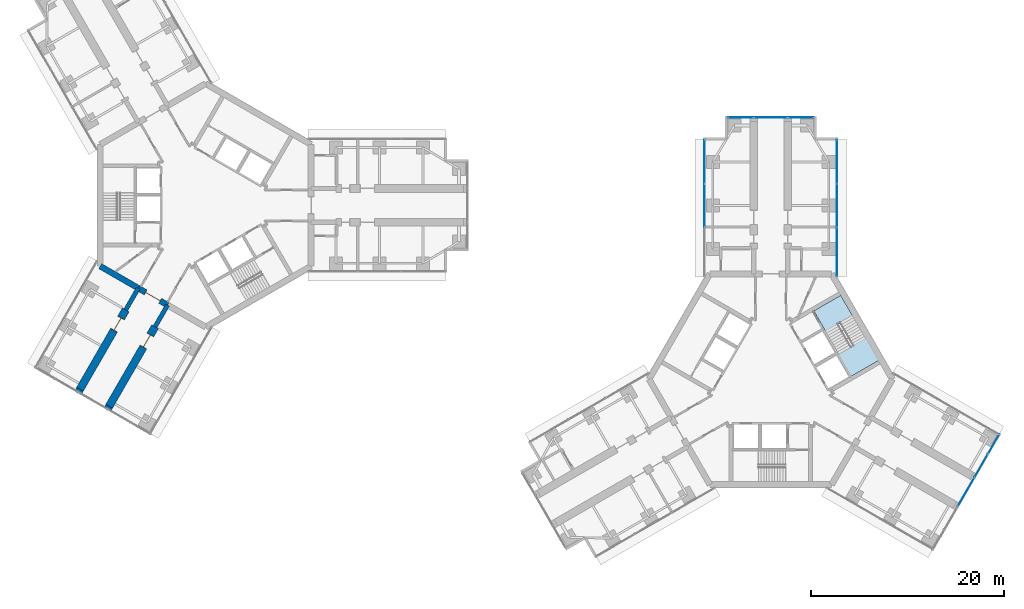
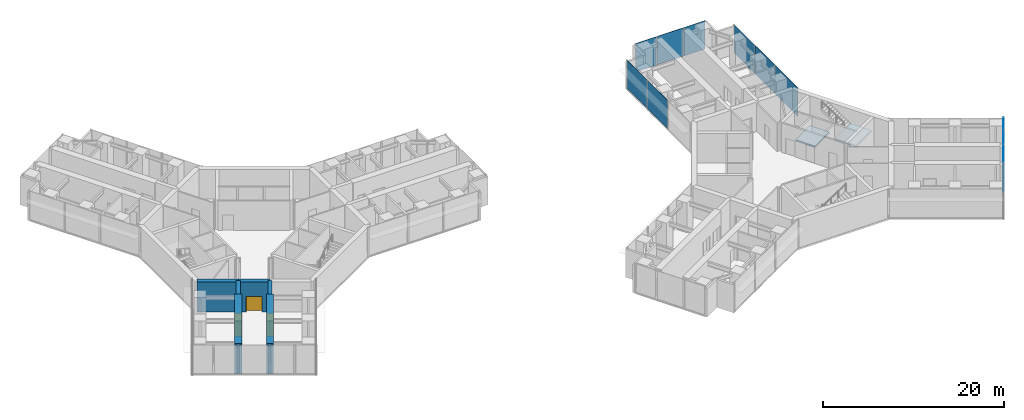
# One storey, part 14 of 21: 11 plates, 8 walls, 3 doors, 2 slabs, 3 openings, 5 elements without a shape of their own.
"""IFC4 building model written with IfcOpenShell, lengths in metres."""

import ifcopenshell
import ifcopenshell.guid

model = None  # the IFC model being written
_history = None  # IfcOwnerHistory: only IFC2X3 demands one
_inside = {}  # id of a spatial element -> (the spatial element, [elements in it])
_under = {}  # id of a project, library or spatial element -> (it, [spatial elements below it])
_declared = {}  # id of a project -> (the project, [libraries it declares])
_typed = {}  # id of a type object -> (the type object, [elements of that type])
_made_of = {}  # id of a material, layer set ... -> (it, [elements and type objects made of it])


def new_model(schema):
    """Start an empty IFC model of exactly this schema.

    Asked for "IFC4X3", IfcOpenShell would pick the latest addendum, in which some entities
    have other attributes; the version numbers below select the first issue.
    IFC2X3 requires an IfcOwnerHistory on every rooted entity: one is made here for all.
    """
    global model, _history
    if schema == "IFC4X3":
        model = ifcopenshell.file(schema_version=(4, 3, 0, 0))
    else:
        model = ifcopenshell.file(schema=schema)
    _inside.clear()
    _under.clear()
    _declared.clear()
    _typed.clear()
    _made_of.clear()
    _history = None
    if model.schema == "IFC2X3":
        org = make("IfcOrganization", Name="unknown")
        user = make(
            "IfcPersonAndOrganization",
            ThePerson=make("IfcPerson", FamilyName="unknown"),
            TheOrganization=org,
        )
        app = make(
            "IfcApplication",
            ApplicationDeveloper=org,
            Version="unknown",
            ApplicationFullName="unknown",
            ApplicationIdentifier="unknown",
        )
        _history = make(
            "IfcOwnerHistory",
            OwningUser=user,
            OwningApplication=app,
            ChangeAction="ADDED",
            CreationDate=0,
        )
    return model


def make(cls, **values):
    """One entity of the class cls with the attributes given. An attribute that is None is left unset."""
    return model.create_entity(
        cls, **{name: value for name, value in values.items() if value is not None}
    )


def rooted(cls, **values):
    """An entity with a GlobalId (a new one), such as an element, a storey or a relation."""
    return make(cls, GlobalId=ifcopenshell.guid.new(), OwnerHistory=_history, **values)


def si_unit(unit_type, name, prefix=None):
    """IfcSIUnit, for example si_unit("LENGTHUNIT", "METRE", prefix="MILLI")."""
    return make("IfcSIUnit", UnitType=unit_type, Prefix=prefix, Name=name)


def assignment(units):
    """IfcUnitAssignment: the units of a project."""
    return None if units is None else make("IfcUnitAssignment", Units=units)


def point(xyz):
    """IfcCartesianPoint."""
    return None if xyz is None else make("IfcCartesianPoint", Coordinates=xyz)


def direction(xyz):
    """IfcDirection."""
    return None if xyz is None else make("IfcDirection", DirectionRatios=xyz)


def frame(location, z_axis=None, x_axis=None):
    """IfcAxis2Placement3D, a coordinate frame: its origin and axes. An axis left out is left unset."""
    return make(
        "IfcAxis2Placement3D",
        Location=point(location),
        Axis=direction(z_axis),
        RefDirection=direction(x_axis),
    )


def frame_2d(location, x_axis=None):
    """IfcAxis2Placement2D, a coordinate frame in the plane: its origin and x axis."""
    return make(
        "IfcAxis2Placement2D", Location=point(location), RefDirection=direction(x_axis)
    )


def origin():
    """The frame at (0, 0, 0) with its axes left unset."""
    return frame((0.0, 0.0, 0.0))


def origin_2d():
    """The frame at (0, 0) in the plane with its x axis left unset."""
    return frame_2d((0.0, 0.0))


def place(relative_to, where):
    """IfcLocalPlacement: puts the frame where relative to a parent placement (None: the world)."""
    return make(
        "IfcLocalPlacement", PlacementRelTo=relative_to, RelativePlacement=where
    )


def context(
    kind, dimensions, precision=None, world=None, true_north=None, identifier=None
):
    """IfcGeometricRepresentationContext, for example the 3D "Model" context."""
    return make(
        "IfcGeometricRepresentationContext",
        ContextIdentifier=identifier,
        ContextType=kind,
        CoordinateSpaceDimension=dimensions,
        Precision=precision,
        WorldCoordinateSystem=world,
        TrueNorth=true_north,
    )


def subcontext(parent, identifier, kind, view, scale=None):
    """IfcGeometricRepresentationSubContext, for example "Body" below "Model"."""
    return make(
        "IfcGeometricRepresentationSubContext",
        ContextIdentifier=identifier,
        ContextType=kind,
        ParentContext=parent,
        TargetScale=scale,
        TargetView=view,
    )


def project(units=None, contexts=None):
    """IfcProject with its units and contexts."""
    return rooted(
        "IfcProject",
        Name="project",
        RepresentationContexts=contexts,
        UnitsInContext=assignment(units),
    )


def spatial(cls, under=None, at=None, **own):
    """A site, building, storey or space (cls), placed at a placement, below another one or the project."""
    s = rooted(cls, ObjectPlacement=at, **own)
    if under is not None:
        _under.setdefault(under.id(), (under, []))[1].append(s)
    return s


def polyline(points):
    """IfcPolyline through the points."""
    return make("IfcPolyline", Points=[point(p) for p in points])


def profile(cls, at=None, kind="AREA", **sizes):
    """A parametric profile (cls). Its sizes go by their IFC names, for example OverallWidth=200.0."""
    return make(cls, ProfileType=kind, Position=at, **sizes)


def rectangle(**sizes):
    """IfcRectangleProfileDef."""
    return profile("IfcRectangleProfileDef", **sizes)


def outline(outer, holes=None, kind="AREA"):
    """IfcArbitraryClosedProfileDef: a profile drawn as a closed curve; with holes, ...WithVoids."""
    if holes is None:
        return make("IfcArbitraryClosedProfileDef", ProfileType=kind, OuterCurve=outer)
    return make(
        "IfcArbitraryProfileDefWithVoids",
        ProfileType=kind,
        OuterCurve=outer,
        InnerCurves=holes,
    )


def extrude(swept, where, along, depth):
    """IfcExtrudedAreaSolid: the profile swept, set in the frame where, extruded along a direction by depth."""
    return make(
        "IfcExtrudedAreaSolid",
        SweptArea=swept,
        Position=where,
        ExtrudedDirection=direction(along),
        Depth=depth,
    )


def shape(context_of_items, identifier, shape_type, items):
    """IfcShapeRepresentation: the items that make up one representation, for example the "Body"."""
    return make(
        "IfcShapeRepresentation",
        ContextOfItems=context_of_items,
        RepresentationIdentifier=identifier,
        RepresentationType=shape_type,
        Items=items,
    )


def material(Name=None, Category=None):
    """IfcMaterial."""
    return make("IfcMaterial", Name=Name, Category=Category)


def layer(
    of_material, thickness, ventilated=None, Name=None, Category=None, Priority=None
):
    """IfcMaterialLayer: one layer of a wall or slab, of a material (None: an air gap)."""
    return make(
        "IfcMaterialLayer",
        Material=of_material,
        LayerThickness=thickness,
        IsVentilated=ventilated,
        Name=Name,
        Category=Category,
        Priority=Priority,
    )


def layer_set(layers, Name=None):
    """IfcMaterialLayerSet."""
    return make("IfcMaterialLayerSet", MaterialLayers=layers, LayerSetName=Name)


def made_of(thing, what):
    """Note that an element or type object is made of a material, layer set ...; save() writes the relation."""
    if what is not None:
        _made_of.setdefault(what.id(), (what, []))[1].append(thing)
    return thing


def type_object(cls, material=None, **own):
    """A type object (cls), such as IfcWallType, which elements share."""
    return made_of(rooted(cls, **own), material)


def element(
    cls,
    number,
    at=None,
    inside=None,
    cuts=None,
    type_object=None,
    material=None,
    context=None,
    identifier="Body",
    shape_type=None,
    held_by="IfcProductDefinitionShape",
    body=None,
    shapes=None,
    **own,
):
    """One element of the class cls, such as IfcWall. Its Tag is "e" and its number.

    at: its placement. inside: the storey or other place that contains it. cuts: it is an
    opening in that element (IfcRelVoidsElement). A single representation is given by context,
    identifier, shape_type and body (its items); several are given by shapes. held_by: the class
    of the entity that holds the representations. save() writes the other relations.
    """
    e = rooted(cls, Tag="e%d" % number, ObjectPlacement=at, **own)
    if body is not None:
        shapes = [shape(context, identifier, shape_type, body)]
    if shapes is not None:
        e.Representation = make(held_by, Representations=shapes)
    if inside is not None:
        _inside.setdefault(inside.id(), (inside, []))[1].append(e)
    if cuts is not None:
        rooted(
            "IfcRelVoidsElement", RelatingBuildingElement=cuts, RelatedOpeningElement=e
        )
    if type_object is not None:
        _typed.setdefault(type_object.id(), (type_object, []))[1].append(e)
    return made_of(e, material)


def fill(opening, filler):
    """IfcRelFillsElement: the door or window that sits in an opening."""
    return rooted(
        "IfcRelFillsElement",
        RelatingOpeningElement=opening,
        RelatedBuildingElement=filler,
    )


def aggregate(whole, parts):
    """IfcRelAggregates: a whole, such as a stair, and the parts it consists of."""
    return rooted("IfcRelAggregates", RelatingObject=whole, RelatedObjects=parts)


def save(model, path):
    """Write the relations noted so far, then the file.

    IfcRelAggregates (storeys below a building ...), IfcRelContainedInSpatialStructure (elements
    in a storey), IfcRelDefinesByType, IfcRelAssociatesMaterial and IfcRelDeclares: one each for
    every whole, place, type object, material and project.
    """
    for whole, parts in _under.values():
        aggregate(whole, parts)
    for where, things in _inside.values():
        rooted(
            "IfcRelContainedInSpatialStructure",
            RelatedElements=things,
            RelatingStructure=where,
        )
    for kind, things in _typed.values():
        rooted("IfcRelDefinesByType", RelatedObjects=things, RelatingType=kind)
    for what, things in _made_of.values():
        rooted("IfcRelAssociatesMaterial", RelatedObjects=things, RelatingMaterial=what)
    for by, libraries in _declared.values():
        rooted("IfcRelDeclares", RelatingContext=by, RelatedDefinitions=libraries)
    model.write(path)


model = new_model("IFC4")

# Units and contexts
model_context = context("Model", 3, precision=1e-05, world=origin(), true_north=direction((0.0, 1.0)))
body_context = subcontext(model_context, "Body", "Model", "MODEL_VIEW")
ifc_project = project(units=[si_unit("LENGTHUNIT", "METRE"), si_unit("AREAUNIT", "SQUARE_METRE"), si_unit("VOLUMEUNIT", "CUBIC_METRE"), si_unit("PLANEANGLEUNIT", "RADIAN"), si_unit("MASSUNIT", "GRAM", prefix="KILO")], contexts=[model_context])

# Site, building, storey
site_placement = place(None, origin())
site = spatial("IfcSite", under=ifc_project, at=site_placement, CompositionType="ELEMENT")
building_placement = place(site_placement, origin())
building = spatial("IfcBuilding", under=site, at=building_placement, Name="Upepo Twin Towers", CompositionType="ELEMENT")
storey_placement = place(building_placement, frame((0.0, 0.0, 101.5)))
storey = spatial("IfcBuildingStorey", under=building, at=storey_placement, Name="L24", CompositionType="ELEMENT", Elevation=101.5)

# Curtain wall, plates
ifc_material_1 = material(Name="Aluminium and fritted glass", Category="aluminium")
curtain_wall_type = type_object("IfcCurtainWallType", Name="Tower curtain wall TW2, fritted glass", PredefinedType="NOTDEFINED", material=ifc_material_1)
curtain_wall_1_placement = place(storey_placement, origin())
curtain_wall_1 = element("IfcCurtainWall", 1, at=curtain_wall_1_placement, inside=storey, type_object=curtain_wall_type, Name="T2 L24 wing A flank L curtain wall", PredefinedType="NOTDEFINED")
ifc_material_2 = material(Name="Ceramic-fritted laminated glass", Category="glass")
ifc_layer_1 = layer(ifc_material_2, 0.031982421875)
ifc_layer_set_1 = layer_set([ifc_layer_1], Name="Fritted glass panel, 35 per cent dot frit, 32 mm double glazed")
plate_type_1 = type_object("IfcPlateType", Name="Fritted glass panel, 35 per cent dot frit, 32 mm double glazed", PredefinedType="CURTAIN_PANEL", material=ifc_layer_set_1)
plate_1_placement = place(storey_placement, frame((51.64990234375, 0.0, 0.14990234375), z_axis=(0.0, 0.0, 1.0), x_axis=(0.0, 1.0, 0.0)))
plate_1 = element("IfcPlate", 2, at=plate_1_placement, type_object=plate_type_1, Name="T2 L24 wing A flank L curtain wall panel 2", PredefinedType="CURTAIN_PANEL", context=body_context, shape_type="SweptSolid", body=[
    extrude(rectangle(XDim=4.43505859375, YDim=0.031982421875, at=origin_2d()), origin(), (0.0, 0.0, 1.0), 3.85009765625),
])
plate_2_placement = place(storey_placement, frame((51.64990234375, 4.53369140625, 0.14990234375), z_axis=(0.0, 0.0, 1.0), x_axis=(0.0, 1.0, 0.0)))
plate_2 = element("IfcPlate", 3, at=plate_2_placement, type_object=plate_type_1, Name="T2 L24 wing A flank L curtain wall panel 3", PredefinedType="CURTAIN_PANEL", context=body_context, shape_type="SweptSolid", body=[
    extrude(rectangle(XDim=4.50244140625, YDim=0.031982421875, at=origin_2d()), origin(), (0.0, 0.0, 1.0), 3.85009765625),
])
aggregate(curtain_wall_1, [plate_1, plate_2])

curtain_wall_2_placement = place(storey_placement, origin())
curtain_wall_2 = element("IfcCurtainWall", 4, at=curtain_wall_2_placement, inside=storey, type_object=curtain_wall_type, Name="T2 L24 wing A flank R curtain wall", PredefinedType="NOTDEFINED")
plate_3_placement = place(storey_placement, frame((65.35009765625, 4.53369140625, 0.14990234375), z_axis=(0.0, 0.0, 1.0), x_axis=(0.0, -1.0, 0.0)))
plate_3 = element("IfcPlate", 5, at=plate_3_placement, type_object=plate_type_1, Name="T2 L24 wing A flank R curtain wall panel 1", PredefinedType="CURTAIN_PANEL", context=body_context, shape_type="SweptSolid", body=[
    extrude(rectangle(XDim=4.50244140625, YDim=0.031982421875, at=origin_2d()), origin(), (0.0, 0.0, 1.0), 3.85009765625),
])
plate_4_placement = place(storey_placement, frame((65.35009765625, 0.0, 0.14990234375), z_axis=(0.0, 0.0, 1.0), x_axis=(0.0, -1.0, 0.0)))
plate_4 = element("IfcPlate", 6, at=plate_4_placement, type_object=plate_type_1, Name="T2 L24 wing A flank R curtain wall panel 2", PredefinedType="CURTAIN_PANEL", context=body_context, shape_type="SweptSolid", body=[
    extrude(rectangle(XDim=4.43505859375, YDim=0.031982421875, at=origin_2d()), origin(), (0.0, 0.0, 1.0), 3.85009765625),
])
plate_5_placement = place(storey_placement, frame((65.35009765625, -4.815185546875, 0.14990234375), z_axis=(0.0, 0.0, 1.0), x_axis=(0.0, -1.0, 0.0)))
plate_5 = element("IfcPlate", 7, at=plate_5_placement, type_object=plate_type_1, Name="T2 L24 wing A flank R curtain wall panel 3", PredefinedType="CURTAIN_PANEL", context=body_context, shape_type="SweptSolid", body=[
    extrude(rectangle(XDim=5.0654296875, YDim=0.031982421875, at=origin_2d()), origin(), (0.0, 0.0, 1.0), 3.85009765625),
])
aggregate(curtain_wall_2, [plate_3, plate_4, plate_5])

# Curtain wall, plate
curtain_wall_3_placement = place(storey_placement, origin())
curtain_wall_3 = element("IfcCurtainWall", 8, at=curtain_wall_3_placement, inside=storey, type_object=curtain_wall_type, Name="T2 L24 wing A nose curtain wall", PredefinedType="NOTDEFINED")
plate_6_placement = place(storey_placement, frame((58.5, 9.10009765625, 0.14990234375), z_axis=(0.0, 0.0, 1.0), x_axis=(-1.0, 0.0, 0.0)))
plate_6 = element("IfcPlate", 9, at=plate_6_placement, type_object=plate_type_1, Name="T2 L24 wing A nose curtain wall panel 2", PredefinedType="CURTAIN_PANEL", context=body_context, shape_type="SweptSolid", body=[
    extrude(rectangle(XDim=3.43505859375, YDim=0.031982421875, at=origin_2d()), origin(), (0.0, 0.0, 1.0), 3.85009765625),
])

# Curtain wall, plates
curtain_wall_4_placement = place(storey_placement, origin())
curtain_wall_4 = element("IfcCurtainWall", 10, at=curtain_wall_4_placement, inside=storey, type_object=curtain_wall_type, Name="T2 L24 wing C nose curtain wall", PredefinedType="NOTDEFINED")
plate_7_placement = place(storey_placement, frame((78.7216796875, -29.675048828125, 0.14990234375), z_axis=(0.0, 0.0, 1.0), x_axis=(0.499999972355, 0.866025419745, 0.0)))
plate_7 = element("IfcPlate", 11, at=plate_7_placement, type_object=plate_type_1, Name="T2 L24 wing C nose curtain wall panel 3", PredefinedType="CURTAIN_PANEL", context=body_context, shape_type="SweptSolid", body=[
    extrude(rectangle(XDim=3.43505859375, YDim=0.031982421875, at=origin_2d()), origin(), (0.0, 0.0, 1.0), 3.85009765625),
])
plate_8_placement = place(storey_placement, frame((80.2841796875, -26.96875, 0.14990234375), z_axis=(0.0, 0.0, 1.0), x_axis=(0.499999972355, 0.866025419745, 0.0)))
plate_8 = element("IfcPlate", 12, at=plate_8_placement, type_object=plate_type_1, Name="T2 L24 wing C nose curtain wall panel 4", PredefinedType="CURTAIN_PANEL", context=body_context, shape_type="SweptSolid", body=[
    extrude(rectangle(XDim=2.68505859375, YDim=0.031982421875, at=origin_2d()), origin(), (0.0, 0.0, 1.0), 3.85009765625),
])

# Plate
ifc_material_3 = material(Name="Clear laminated glass in opening sash", Category="glass")
ifc_layer_2 = layer(ifc_material_3, 0.031982421875)
ifc_layer_set_2 = layer_set([ifc_layer_2], Name="Operable glass panel, 32 mm double glazed")
plate_type_2 = type_object("IfcPlateType", Name="Operable glass panel, 32 mm double glazed", PredefinedType="CURTAIN_PANEL", material=ifc_layer_set_2)
plate_9_placement = place(storey_placement, frame((61.608642578125, 9.10009765625, 0.14990234375), z_axis=(0.0, 0.0, 1.0), x_axis=(-1.0, 0.0, 0.0)))
plate_9 = element("IfcPlate", 13, at=plate_9_placement, type_object=plate_type_2, Name="T2 L24 wing A nose curtain wall panel 1", PredefinedType="CURTAIN_PANEL", context=body_context, shape_type="SweptSolid", body=[
    extrude(rectangle(XDim=2.652587890625, YDim=0.031982421875, at=origin_2d()), origin(), (0.0, 0.0, 1.0), 3.85009765625),
])

plate_10_placement = place(storey_placement, frame((55.391357421875, 9.10009765625, 0.14990234375), z_axis=(0.0, 0.0, 1.0), x_axis=(-1.0, 0.0, 0.0)))
plate_10 = element("IfcPlate", 14, at=plate_10_placement, type_object=plate_type_2, Name="T2 L24 wing A nose curtain wall panel 3", PredefinedType="CURTAIN_PANEL", context=body_context, shape_type="SweptSolid", body=[
    extrude(rectangle(XDim=2.652587890625, YDim=0.031982421875, at=origin_2d()), origin(), (0.0, 0.0, 1.0), 3.85009765625),
])

aggregate(curtain_wall_3, [plate_9, plate_6, plate_10])

plate_11_placement = place(storey_placement, frame((81.576171875, -24.73095703125, 0.14990234375), z_axis=(0.0, 0.0, 1.0), x_axis=(0.499999972355, 0.866025419745, 0.0)))
plate_11 = element("IfcPlate", 15, at=plate_11_placement, type_object=plate_type_2, Name="T2 L24 wing C nose curtain wall panel 5", PredefinedType="CURTAIN_PANEL", context=body_context, shape_type="SweptSolid", body=[
    extrude(rectangle(XDim=2.3525390625, YDim=0.031982421875, at=origin_2d()), origin(), (0.0, 0.0, 1.0), 3.85009765625),
])

aggregate(curtain_wall_4, [plate_7, plate_8, plate_11])

# Stair, slabs
ifc_material_4 = material(Name="Concrete C40/50", Category="concrete")
stair_type = type_object("IfcStairType", Name="Core stair, two flights", PredefinedType="HALF_TURN_STAIR", material=ifc_material_4)
stair_placement = place(storey_placement, origin())
stair = element("IfcStair", 16, at=stair_placement, inside=storey, type_object=stair_type, Name="T2 stair S2 L24", PredefinedType="HALF_TURN_STAIR")
ifc_material_5 = material(Name="Concrete C40/50", Category="concrete")
ifc_layer_3 = layer(ifc_material_5, 0.199951171875)
ifc_layer_set_3 = layer_set([ifc_layer_3], Name="Concrete C40/50")
slab_type = type_object("IfcSlabType", Name="Stair landing 200 RC", PredefinedType="LANDING", material=ifc_layer_set_3)
slab_1_placement = place(storey_placement, frame((0.0, 0.0, -0.199951171875)))
slab_1 = element("IfcSlab", 17, at=slab_1_placement, type_object=slab_type, Name="Stair S2 landing 1", PredefinedType="LANDING", context=body_context, shape_type="SweptSolid", body=[
    extrude(outline(polyline([(64.198486328125, -13.0703125), (66.97705078125, -11.466064453125), (65.737060546875, -9.318359375), (62.95849609375, -10.922607421875), (64.198486328125, -13.0703125)])), origin(), (0.0, 0.0, 1.0), 0.199951171875),
])
slab_2_placement = place(storey_placement, frame((0.0, 0.0, 1.800048828125)))
slab_2 = element("IfcSlab", 18, at=slab_2_placement, type_object=slab_type, Name="Stair S2 landing 2", PredefinedType="LANDING", context=body_context, shape_type="SweptSolid", body=[
    extrude(outline(polyline([(66.77197265625, -17.7275390625), (69.7236328125, -16.0234375), (68.36376953125, -13.667724609375), (65.411865234375, -15.371826171875), (66.77197265625, -17.7275390625)])), origin(), (0.0, 0.0, 1.0), 0.199951171875),
])
aggregate(stair, [slab_1, slab_2])

# Walls
ifc_material_6 = material(Name="Dense concrete blockwork", Category="masonry")
ifc_layer_4 = layer(ifc_material_6, 0.800048828125)
ifc_layer_set_4 = layer_set([ifc_layer_4], Name="Buttress closer 800, blockwork with fire-stopping to the curtain wall")
wall_type_1 = type_object("IfcWallType", Name="Buttress closer 800, blockwork with fire-stopping to the curtain wall", PredefinedType="PARTITIONING", material=ifc_layer_set_4)
for number, where, z_axis, x_axis, name in (
    (19, (-9.984375, -20.793701171875, 0.0), (0.0, 0.0, 1.0), (-0.500342721131, -0.865827443207, 0.0), "T1 L24 wing C buttress closer L"),
    (20, (-13.015625, -19.043701171875, 0.0), (0.0, 0.0, 1.0), (-0.500342721131, -0.865827443207, 0.0), "T1 L24 wing C buttress closer R"),
):
    element("IfcWall", number, at=place(storey_placement, frame(where, z_axis=z_axis, x_axis=x_axis)), inside=storey, type_object=wall_type_1, Name=name, PredefinedType="PARTITIONING", context=body_context, shape_type="SweptSolid", body=[
        extrude(rectangle(XDim=0.249755859375, YDim=0.800048828125, at=frame_2d((0.125, 0.0))), origin(), (0.0, 0.0, 1.0), 3.800048828125),
    ])
ifc_material_7 = material(Name="Concrete C60/75", Category="concrete")
ifc_layer_5 = layer(ifc_material_7, 0.449951171875)
ifc_layer_set_5 = layer_set([ifc_layer_5], Name="Concrete C60/75")
wall_type_2 = type_object("IfcWallType", Name="Buttress wall 450 RC", PredefinedType="SHEAR", material=ifc_layer_set_5)
for number, where, z_axis, x_axis, name in (
    (21, (-3.938720703125, -10.32177734375, 0.0), (0.0, 0.0, 1.0), (-0.499918158782, -0.866072649678, 0.0), "T1 wing C buttress wall L"),
    (22, (-6.9697265625, -8.57177734375, 0.0), (0.0, 0.0, 1.0), (-0.499988811324, -0.866031863473, 0.0), "T1 wing C buttress wall R"),
):
    element("IfcWall", number, at=place(storey_placement, frame(where, z_axis=z_axis, x_axis=x_axis)), inside=storey, type_object=wall_type_2, Name=name, PredefinedType="SHEAR", context=body_context, shape_type="SweptSolid", body=[
        extrude(rectangle(XDim=2.591796875, YDim=0.449951171875, at=frame_2d((1.2958984375, 0.0))), origin(), (0.0, 0.0, 1.0), 4.0),
    ])

# Wall, opening, door
ifc_material_8 = material(Name="Concrete C60/75", Category="concrete")
ifc_layer_6 = layer(ifc_material_8, 0.800048828125)
ifc_layer_set_6 = layer_set([ifc_layer_6], Name="Concrete C60/75")
wall_type_3 = type_object("IfcWallType", Name="Buttress wall 800 RC", PredefinedType="SHEAR", material=ifc_layer_set_6)
wall_1_placement = place(storey_placement, frame((-5.234375, -12.56640625, 0.0), z_axis=(0.0, 0.0, 1.0), x_axis=(-0.499997557548, -0.86602681393, 0.0)))
wall_1 = element("IfcWall", 23, at=wall_1_placement, inside=storey, type_object=wall_type_3, Name="T1 wing C buttress wall L part 2", PredefinedType="SHEAR", context=body_context, shape_type="SweptSolid", body=[
    extrude(rectangle(XDim=9.5, YDim=0.800048828125, at=frame_2d((4.75, 0.0))), origin(), (0.0, 0.0, 1.0), 4.0),
])
opening_1_placement = place(wall_1_placement, frame((0.949951171875, 0.0, 0.0)))
opening_1 = element("IfcOpeningElement", 24, at=opening_1_placement, cuts=wall_1, Name="Opening D13", PredefinedType="OPENING", context=body_context, shape_type="SweptSolid", body=[
    extrude(rectangle(XDim=1.5, YDim=2.10009765625, at=frame_2d((0.75, 1.050048828125))), frame((0.0, 0.409912109375, 0.0), z_axis=(0.0, -1.0, 0.0), x_axis=(1.0, 0.0, 0.0)), (0.0, 0.0, 1.0), 0.820068359375),
])
ifc_material_9 = material(Name="Timber doorset", Category="wood")
door_type_1 = type_object("IfcDoorType", Name="Double door 1500 FD30", OperationType="DOUBLE_DOOR_SINGLE_SWING", PredefinedType="DOOR", material=ifc_material_9)
door_1_placement = place(opening_1_placement, origin())
door_1 = element("IfcDoor", 25, at=door_1_placement, inside=storey, type_object=door_type_1, Name="T1 L24 laboratory prep room door", OperationType="DOUBLE_DOOR_SINGLE_SWING", OverallHeight=2.10009765625, OverallWidth=1.5, PredefinedType="DOOR", context=body_context, shape_type="SweptSolid", body=[
    extrude(rectangle(XDim=1.42, YDim=2.06009765625, at=frame_2d((0.75, 1.030029296875))), frame((0.0, 0.02490234375, 0.0), z_axis=(0.0, -1.0, 0.0), x_axis=(1.0, 0.0, 0.0)), (0.0, 0.0, 1.0), 0.050048828125),
    extrude(rectangle(XDim=0.04, YDim=2.10009765625, at=frame_2d((0.02001953125, 1.050048828125))), frame((0.0, 0.39990234375, 0.0), z_axis=(0.0, -1.0, 0.0), x_axis=(1.0, 0.0, 0.0)), (0.0, 0.0, 1.0), 0.799560546875),
    extrude(rectangle(XDim=0.04, YDim=2.10009765625, at=frame_2d((1.47998046875, 1.050048828125))), frame((0.0, 0.39990234375, 0.0), z_axis=(0.0, -1.0, 0.0), x_axis=(1.0, 0.0, 0.0)), (0.0, 0.0, 1.0), 0.799560546875),
    extrude(rectangle(XDim=1.42, YDim=0.04, at=frame_2d((0.75, 2.080078125))), frame((0.0, 0.39990234375, 0.0), z_axis=(0.0, -1.0, 0.0), x_axis=(1.0, 0.0, 0.0)), (0.0, 0.0, 1.0), 0.799560546875),
])
fill(opening_1, door_1)

wall_2_placement = place(storey_placement, frame((-8.265625, -10.81640625, 0.0), z_axis=(0.0, 0.0, 1.0), x_axis=(-0.499997557548, -0.86602681393, 0.0)))
wall_2 = element("IfcWall", 26, at=wall_2_placement, inside=storey, type_object=wall_type_3, Name="T1 wing C buttress wall R part 2", PredefinedType="SHEAR", context=body_context, shape_type="SweptSolid", body=[
    extrude(rectangle(XDim=9.5, YDim=0.800048828125, at=frame_2d((4.75, 0.0))), origin(), (0.0, 0.0, 1.0), 4.0),
])
opening_2_placement = place(wall_2_placement, frame((0.949951171875, 0.0, 0.0)))
opening_2 = element("IfcOpeningElement", 27, at=opening_2_placement, cuts=wall_2, Name="Opening D13", PredefinedType="OPENING", context=body_context, shape_type="SweptSolid", body=[
    extrude(rectangle(XDim=1.5, YDim=2.10009765625, at=frame_2d((0.75, 1.050048828125))), frame((0.0, 0.409912109375, 0.0), z_axis=(0.0, -1.0, 0.0), x_axis=(1.0, 0.0, 0.0)), (0.0, 0.0, 1.0), 0.820068359375),
])
door_2_placement = place(opening_2_placement, origin())
door_2 = element("IfcDoor", 28, at=door_2_placement, inside=storey, type_object=door_type_1, Name="T1 L24 laboratory prep room door", OperationType="DOUBLE_DOOR_SINGLE_SWING", OverallHeight=2.10009765625, OverallWidth=1.5, PredefinedType="DOOR", context=body_context, shape_type="SweptSolid", body=[
    extrude(rectangle(XDim=1.42, YDim=2.06009765625, at=frame_2d((0.75, 1.030029296875))), frame((0.0, 0.02490234375, 0.0), z_axis=(0.0, -1.0, 0.0), x_axis=(1.0, 0.0, 0.0)), (0.0, 0.0, 1.0), 0.050048828125),
    extrude(rectangle(XDim=0.04, YDim=2.10009765625, at=frame_2d((0.02001953125, 1.050048828125))), frame((0.0, 0.39990234375, 0.0), z_axis=(0.0, -1.0, 0.0), x_axis=(1.0, 0.0, 0.0)), (0.0, 0.0, 1.0), 0.799560546875),
    extrude(rectangle(XDim=0.04, YDim=2.10009765625, at=frame_2d((1.47998046875, 1.050048828125))), frame((0.0, 0.39990234375, 0.0), z_axis=(0.0, -1.0, 0.0), x_axis=(1.0, 0.0, 0.0)), (0.0, 0.0, 1.0), 0.799560546875),
    extrude(rectangle(XDim=1.42, YDim=0.04, at=frame_2d((0.75, 2.080078125))), frame((0.0, 0.39990234375, 0.0), z_axis=(0.0, -1.0, 0.0), x_axis=(1.0, 0.0, 0.0)), (0.0, 0.0, 1.0), 0.799560546875),
])
fill(opening_2, door_2)

# Wall
ifc_material_10 = material(Name="Concrete C60/75", Category="concrete")
ifc_layer_7 = layer(ifc_material_10, 0.60009765625)
ifc_layer_set_7 = layer_set([ifc_layer_7], Name="Concrete C60/75")
wall_type_4 = type_object("IfcWallType", Name="Core wall 600 RC", PredefinedType="SHEAR", material=ifc_layer_set_7)
wall_3_placement = place(storey_placement, frame((-10.908447265625, -6.2978515625, 0.0), z_axis=(0.0, 0.0, 1.0), x_axis=(0.866034513004, -0.499984222037, 0.0)))
element("IfcWall", 29, at=wall_3_placement, inside=storey, type_object=wall_type_4, Name="T1 core wall 240 R", PredefinedType="SHEAR", context=body_context, shape_type="SweptSolid", body=[
    extrude(rectangle(XDim=4.548095703125, YDim=0.60009765625, at=frame_2d((2.27392578125, 0.0))), origin(), (0.0, 0.0, 1.0), 4.0),
])

# Wall, opening, door
wall_4_placement = place(storey_placement, frame((-6.9697265625, -8.57177734375, 0.0), z_axis=(0.0, 0.0, 1.0), x_axis=(0.866019471182, -0.500010275428, 0.0)))
wall_4 = element("IfcWall", 30, at=wall_4_placement, inside=storey, type_object=wall_type_4, Name="T1 core wall 240", PredefinedType="SHEAR", context=body_context, shape_type="SweptSolid", body=[
    extrude(rectangle(XDim=3.5, YDim=0.60009765625, at=frame_2d((1.75, 0.0))), origin(), (0.0, 0.0, 1.0), 4.0),
])
opening_3_placement = place(wall_4_placement, frame((0.85009765625, 0.0, 0.0)))
opening_3 = element("IfcOpeningElement", 31, at=opening_3_placement, cuts=wall_4, Name="Opening D2", PredefinedType="OPENING", context=body_context, shape_type="SweptSolid", body=[
    extrude(rectangle(XDim=1.800048828125, YDim=2.10009765625, at=frame_2d((0.89990234375, 1.050048828125))), frame((0.0, 0.31005859375, 0.0), z_axis=(0.0, -1.0, 0.0), x_axis=(1.0, 0.0, 0.0)), (0.0, 0.0, 1.0), 0.6201171875),
])
ifc_material_11 = material(Name="Timber doorset", Category="wood")
door_type_2 = type_object("IfcDoorType", Name="Corridor double door 1800 FD60", OperationType="DOUBLE_DOOR_DOUBLE_SWING", PredefinedType="DOOR", material=ifc_material_11)
door_3_placement = place(opening_3_placement, origin())
door_3 = element("IfcDoor", 32, at=door_3_placement, inside=storey, type_object=door_type_2, Name="T1 L24 wing C corridor door", OperationType="DOUBLE_DOOR_DOUBLE_SWING", OverallHeight=2.10009765625, OverallWidth=1.800048828125, PredefinedType="DOOR", context=body_context, shape_type="SweptSolid", body=[
    extrude(rectangle(XDim=1.720048828125, YDim=2.06009765625, at=frame_2d((0.89990234375, 1.030029296875))), frame((0.0, 0.02490234375, 0.0), z_axis=(0.0, -1.0, 0.0), x_axis=(1.0, 0.0, 0.0)), (0.0, 0.0, 1.0), 0.050048828125),
    extrude(rectangle(XDim=0.04, YDim=2.10009765625, at=frame_2d((0.02001953125, 1.050048828125))), frame((0.0, 0.2998046875, 0.0), z_axis=(0.0, -1.0, 0.0), x_axis=(1.0, 0.0, 0.0)), (0.0, 0.0, 1.0), 0.599609375),
    extrude(rectangle(XDim=0.04, YDim=2.10009765625, at=frame_2d((1.780029296875, 1.050048828125))), frame((0.0, 0.2998046875, 0.0), z_axis=(0.0, -1.0, 0.0), x_axis=(1.0, 0.0, 0.0)), (0.0, 0.0, 1.0), 0.599609375),
    extrude(rectangle(XDim=1.720048828125, YDim=0.04, at=frame_2d((0.89990234375, 2.080078125))), frame((0.0, 0.2998046875, 0.0), z_axis=(0.0, -1.0, 0.0), x_axis=(1.0, 0.0, 0.0)), (0.0, 0.0, 1.0), 0.599609375),
])
fill(opening_3, door_3)

save(model, "model.ifc")
